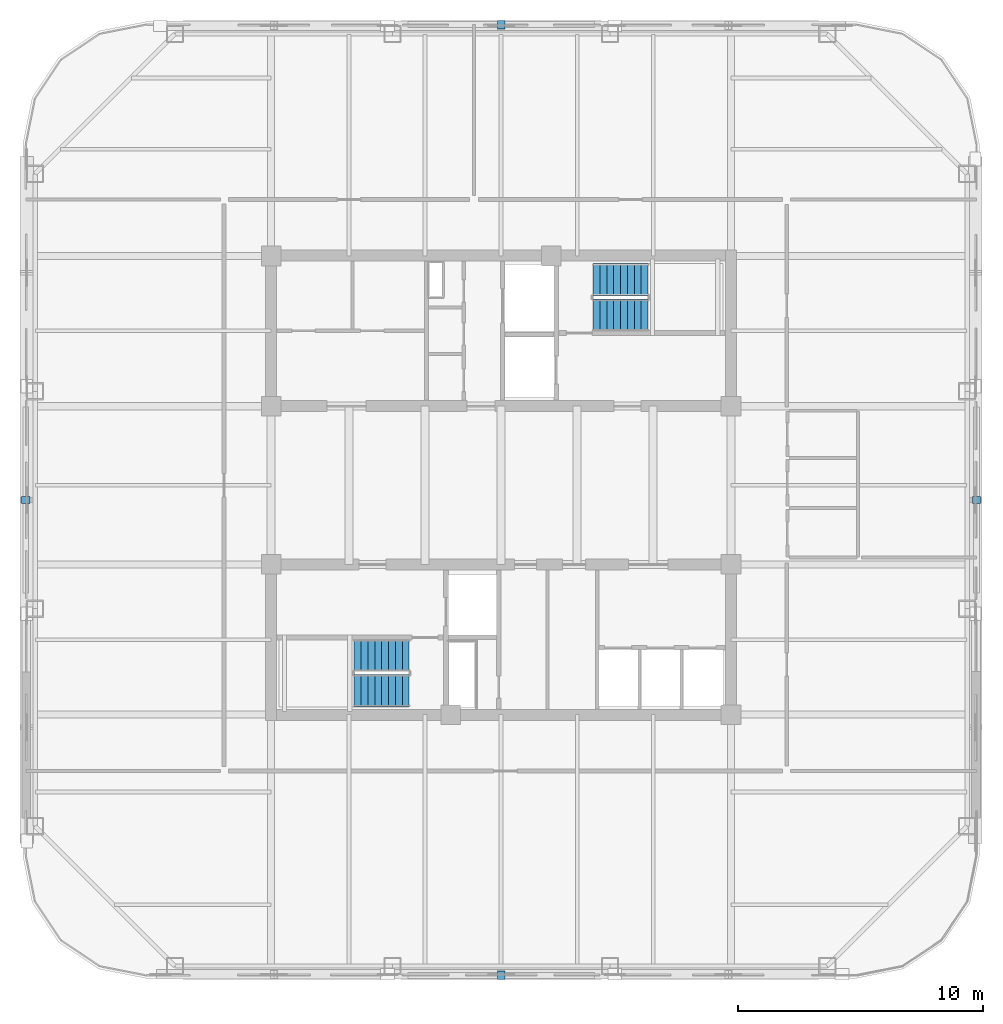
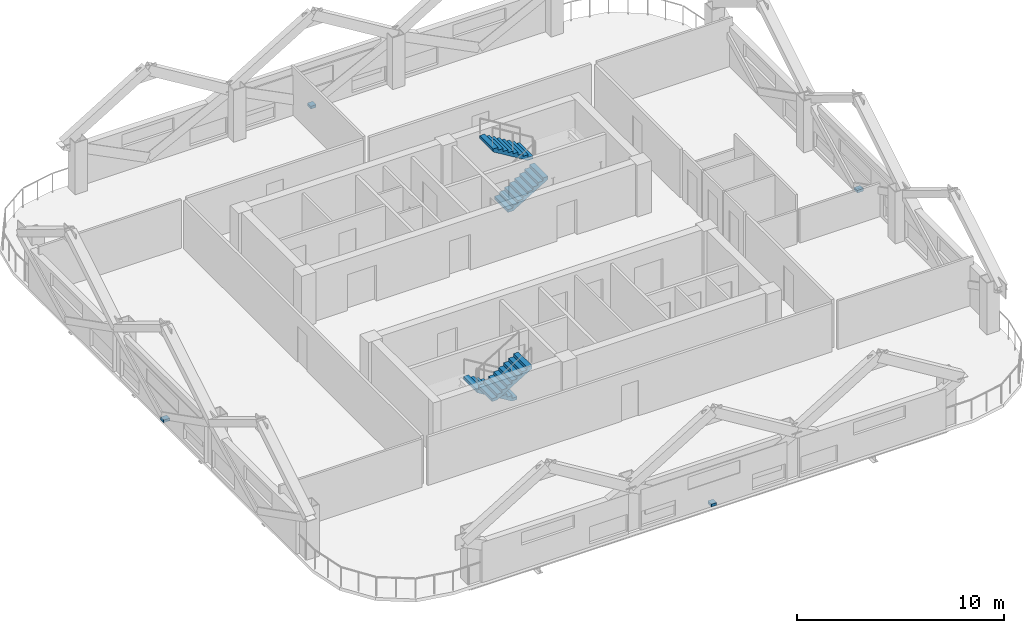
# One storey, part 6 of 9: 4 discrete accessories, 4 stair flights, 2 elements without a shape of their own.
"""IFC4 building model written with IfcOpenShell, lengths in metres."""

from ifc_helpers import new_model, si_unit, direction, frame, origin, origin_2d, place, context, subcontext, project, spatial, polyline, rectangle, outline, extrude, material, type_object, element, aggregate, save


model = new_model("IFC4")

# Units and contexts
model_context = context("Model", 3, precision=1e-05, world=origin(), true_north=direction((0.0, 1.0)))
body_context = subcontext(model_context, "Body", "Model", "MODEL_VIEW")
ifc_project = project(units=[si_unit("LENGTHUNIT", "METRE"), si_unit("AREAUNIT", "SQUARE_METRE"), si_unit("VOLUMEUNIT", "CUBIC_METRE"), si_unit("PLANEANGLEUNIT", "RADIAN"), si_unit("MASSUNIT", "GRAM", prefix="KILO")], contexts=[model_context])

# Site, building, storey
site_placement = place(None, origin())
site = spatial("IfcSite", under=ifc_project, at=site_placement, CompositionType="ELEMENT")
building_placement = place(site_placement, origin())
building = spatial("IfcBuilding", under=site, at=building_placement, Name="Qhalaya Broadcast Tower", CompositionType="ELEMENT")
storey_placement = place(building_placement, frame((0.0, 0.0, 205.60009765625)))
storey = spatial("IfcBuildingStorey", under=building, at=storey_placement, Name="L60", CompositionType="ELEMENT", Elevation=205.60009765625)

# Stair, stair flights
ifc_material_1 = material(Name="Concrete C40/50", Category="concrete")
stair_type = type_object("IfcStairType", Name="Protected Dogleg Core Stair 3150", PredefinedType="TWO_STRAIGHT_RUN_STAIR", material=ifc_material_1)
stair_1_placement = place(storey_placement, origin())
stair_1 = element("IfcStair", 1, at=stair_1_placement, inside=storey, type_object=stair_type, Name="L60 North Core Exit Stair ST-1", PredefinedType="TWO_STRAIGHT_RUN_STAIR")
ifc_material_2 = material(Name="Precast Concrete C40/50", Category="concrete")
stair_flight_type = type_object("IfcStairFlightType", Name="Precast Concrete Stair Flight 3150", PredefinedType="STRAIGHT", material=ifc_material_2)
stair_flight_1_placement = place(storey_placement, frame((3.75, 7.5400390625, 0.0), z_axis=(0.0, 0.0, 1.0), x_axis=(1.0, 0.0, 0.0)))
stair_flight_1 = element("IfcStairFlight", 2, at=stair_flight_1_placement, type_object=stair_flight_type, Name="ST-1 flight 1", NumberOfRisers=9, NumberOfTreads=8, PredefinedType="STRAIGHT", RiserHeight=0.169444444, TreadLength=0.28, context=body_context, shape_type="SweptSolid", body=[
    extrude(outline(polyline([(0.0, 0.0), (0.0, 0.16943359375), (0.280029296875, 0.16943359375), (0.280029296875, 0.3388671875), (0.56005859375, 0.3388671875), (0.56005859375, 0.50830078125), (0.840087890625, 0.50830078125), (0.840087890625, 0.677734375), (1.1201171875, 0.677734375), (1.1201171875, 0.84716796875), (1.39990234375, 0.84716796875), (1.39990234375, 1.0166015625), (1.679931640625, 1.0166015625), (1.679931640625, 1.18603515625), (1.9599609375, 1.18603515625), (1.9599609375, 1.35546875), (2.239990234375, 1.35546875), (2.239990234375, 1.52490234375), (2.239990234375, 1.180419921875), (0.28955078125, 0.0), (0.0, 0.0)])), frame((0.0, 0.66015625, 0.0), z_axis=(0.0, -1.0, 0.0), x_axis=(1.0, 0.0, 0.0)), (0.0, 0.0, 1.0), 1.320068359375),
])
stair_flight_2_placement = place(storey_placement, frame((5.989990234375, 8.97998046875, 1.52490234375), z_axis=(0.0, 0.0, 1.0), x_axis=(-1.0, 0.0, 0.0)))
stair_flight_2 = element("IfcStairFlight", 3, at=stair_flight_2_placement, type_object=stair_flight_type, Name="ST-1 flight 2", NumberOfRisers=9, NumberOfTreads=8, PredefinedType="STRAIGHT", RiserHeight=0.169444444, TreadLength=0.28, context=body_context, shape_type="SweptSolid", body=[
    extrude(outline(polyline([(0.0, 0.0), (0.0, 0.16943359375), (0.280029296875, 0.16943359375), (0.280029296875, 0.3388671875), (0.56005859375, 0.3388671875), (0.56005859375, 0.50830078125), (0.840087890625, 0.50830078125), (0.840087890625, 0.677734375), (1.1201171875, 0.677734375), (1.1201171875, 0.84716796875), (1.39990234375, 0.84716796875), (1.39990234375, 1.0166015625), (1.679931640625, 1.0166015625), (1.679931640625, 1.18603515625), (1.9599609375, 1.18603515625), (1.9599609375, 1.35546875), (2.239990234375, 1.35546875), (2.239990234375, 1.52490234375), (2.239990234375, 1.180419921875), (0.28955078125, 0.0), (0.0, 0.0)])), frame((0.0, 0.66015625, 0.0), z_axis=(0.0, -1.0, 0.0), x_axis=(1.0, 0.0, 0.0)), (0.0, 0.0, 1.0), 1.320068359375),
])
aggregate(stair_1, [stair_flight_1, stair_flight_2])

stair_2_placement = place(storey_placement, origin())
stair_2 = element("IfcStair", 4, at=stair_2_placement, inside=storey, type_object=stair_type, Name="L60 South Core Exit Stair ST-2", PredefinedType="TWO_STRAIGHT_RUN_STAIR")
stair_flight_3_placement = place(storey_placement, frame((-3.75, -6.340087890625, 0.0), z_axis=(0.0, 0.0, 1.0), x_axis=(-1.0, 0.0, 0.0)))
stair_flight_3 = element("IfcStairFlight", 5, at=stair_flight_3_placement, type_object=stair_flight_type, Name="ST-2 flight 1", NumberOfRisers=9, NumberOfTreads=8, PredefinedType="STRAIGHT", RiserHeight=0.169444444, TreadLength=0.28, context=body_context, shape_type="SweptSolid", body=[
    extrude(outline(polyline([(0.0, 0.0), (0.0, 0.16943359375), (0.280029296875, 0.16943359375), (0.280029296875, 0.3388671875), (0.56005859375, 0.3388671875), (0.56005859375, 0.50830078125), (0.840087890625, 0.50830078125), (0.840087890625, 0.677734375), (1.1201171875, 0.677734375), (1.1201171875, 0.84716796875), (1.39990234375, 0.84716796875), (1.39990234375, 1.0166015625), (1.679931640625, 1.0166015625), (1.679931640625, 1.18603515625), (1.9599609375, 1.18603515625), (1.9599609375, 1.35546875), (2.239990234375, 1.35546875), (2.239990234375, 1.52490234375), (2.239990234375, 1.180419921875), (0.28955078125, 0.0), (0.0, 0.0)])), frame((0.0, 0.66015625, 0.0), z_axis=(0.0, -1.0, 0.0), x_axis=(1.0, 0.0, 0.0)), (0.0, 0.0, 1.0), 1.320068359375),
])
stair_flight_4_placement = place(storey_placement, frame((-5.989990234375, -7.780029296875, 1.52490234375), z_axis=(0.0, 0.0, 1.0), x_axis=(1.0, 0.0, 0.0)))
stair_flight_4 = element("IfcStairFlight", 6, at=stair_flight_4_placement, type_object=stair_flight_type, Name="ST-2 flight 2", NumberOfRisers=9, NumberOfTreads=8, PredefinedType="STRAIGHT", RiserHeight=0.169444444, TreadLength=0.28, context=body_context, shape_type="SweptSolid", body=[
    extrude(outline(polyline([(0.0, 0.0), (0.0, 0.16943359375), (0.280029296875, 0.16943359375), (0.280029296875, 0.3388671875), (0.56005859375, 0.3388671875), (0.56005859375, 0.50830078125), (0.840087890625, 0.50830078125), (0.840087890625, 0.677734375), (1.1201171875, 0.677734375), (1.1201171875, 0.84716796875), (1.39990234375, 0.84716796875), (1.39990234375, 1.0166015625), (1.679931640625, 1.0166015625), (1.679931640625, 1.18603515625), (1.9599609375, 1.18603515625), (1.9599609375, 1.35546875), (2.239990234375, 1.35546875), (2.239990234375, 1.52490234375), (2.239990234375, 1.180419921875), (0.28955078125, 0.0), (0.0, 0.0)])), frame((0.0, 0.66015625, 0.0), z_axis=(0.0, -1.0, 0.0), x_axis=(1.0, 0.0, 0.0)), (0.0, 0.0, 1.0), 1.320068359375),
])
aggregate(stair_2, [stair_flight_3, stair_flight_4])

# Discrete accessories
ifc_material_3 = material(Name="Structural Steel ASTM A572 Grade 50", Category="steel")
discrete_accessory_type = type_object("IfcDiscreteAccessoryType", Name="Facade Baguette Support Bracket BRK-01", PredefinedType="BRACKET", material=ifc_material_3)
for number, where, z_axis, x_axis, name in (
    (7, (0.0, -19.3798828125, 0.0), (0.0, 0.0, 1.0), (1.0, 0.0, 0.0), "L60 Baguette Support Bracket S"),
    (8, (19.3798828125, 0.0, 0.0), (0.0, 0.0, 1.0), (0.0, 1.0, 0.0), "L60 Baguette Support Bracket E"),
    (9, (0.0, 19.3798828125, 0.0), (0.0, 0.0, 1.0), (-1.0, 0.0, 0.0), "L60 Baguette Support Bracket N"),
    (10, (-19.3798828125, 0.0, 0.0), (0.0, 0.0, 1.0), (0.0, -1.0, 0.0), "L60 Baguette Support Bracket W"),
):
    element("IfcDiscreteAccessory", number, at=place(storey_placement, frame(where, z_axis=z_axis, x_axis=x_axis)), inside=storey, type_object=discrete_accessory_type, Name=name, PredefinedType="BRACKET", context=body_context, shape_type="SweptSolid", body=[
        extrude(rectangle(XDim=0.300048828125, YDim=0.340087890625, at=origin_2d()), origin(), (0.0, 0.0, 1.0), 0.159912109375),
    ])

save(model, "model.ifc")
